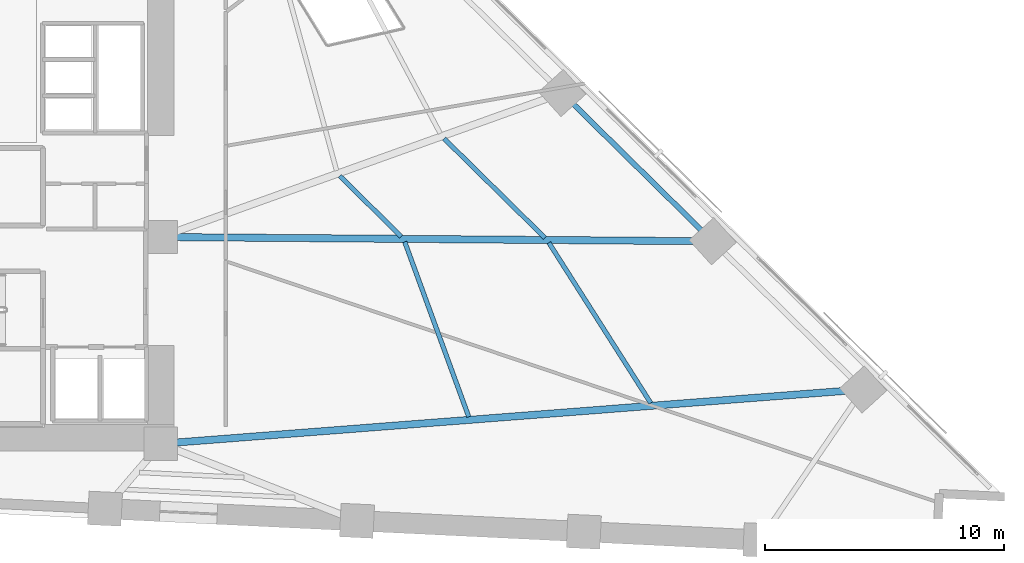
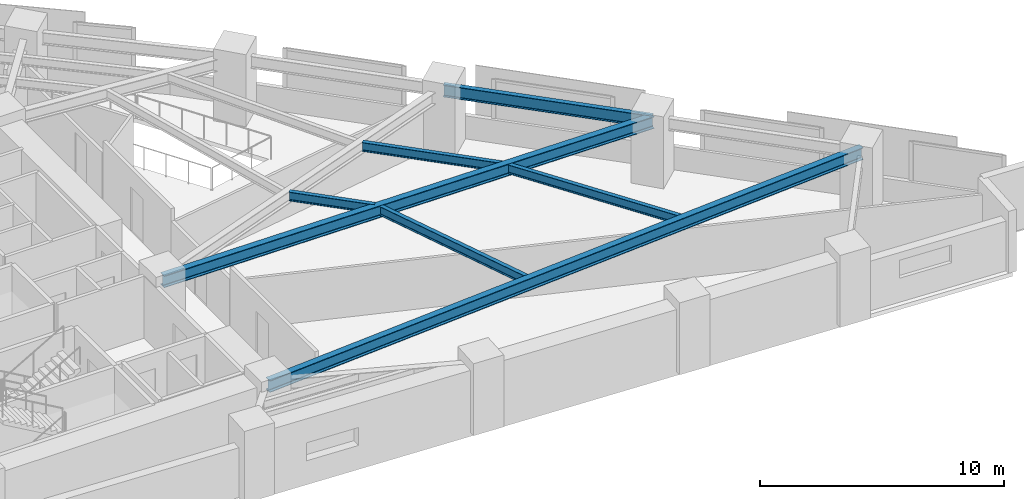
# One storey, part 3 of 17: 7 beams.
"""IFC4 building model written with IfcOpenShell, lengths in metres."""

from ifc_helpers import new_model, si_unit, direction, frame, origin, origin_2d, place, context, subcontext, project, spatial, i_section, extrude, material, material_profile, profile_set, type_object, element, save


model = new_model("IFC4")

# Units and contexts
model_context = context("Model", 3, precision=1e-05, world=origin(), true_north=direction((0.0, 1.0)))
body_context = subcontext(model_context, "Body", "Model", "MODEL_VIEW")
ifc_project = project(units=[si_unit("LENGTHUNIT", "METRE"), si_unit("AREAUNIT", "SQUARE_METRE"), si_unit("VOLUMEUNIT", "CUBIC_METRE"), si_unit("PLANEANGLEUNIT", "RADIAN"), si_unit("MASSUNIT", "GRAM", prefix="KILO")], contexts=[model_context])

# Site, building, storey
site_placement = place(None, origin())
site = spatial("IfcSite", under=ifc_project, at=site_placement, CompositionType="ELEMENT")
building_placement = place(site_placement, origin())
building = spatial("IfcBuilding", under=site, at=building_placement, Name="Narakoshi Arena Tower", CompositionType="ELEMENT")
storey_placement = place(building_placement, frame((0.0, 0.0, 55.5)))
storey = spatial("IfcBuildingStorey", under=building, at=storey_placement, Name="L14", CompositionType="ELEMENT", Elevation=55.5)

# Beams
ifc_material = material(Name="Structural steel S355J2", Category="steel")
ifc_material_profile_1 = material_profile(ifc_material, i_section(OverallWidth=0.219970703125, OverallDepth=0.60009765625, WebThickness=0.011962890625, FlangeThickness=0.01904296875, FilletRadius=0.02392578125, at=origin_2d()), Name="IPE600")
ifc_profile_set_1 = profile_set([ifc_material_profile_1], Name="Structural steel S355J2")
beam_type_1 = type_object("IfcBeamType", Name="BM-EDGE-600", PredefinedType="BEAM", material=ifc_profile_set_1)
beam_1_placement = place(storey_placement, frame((108.643798828125, 43.171875, 2.800048828125), z_axis=(-0.712540689328, 0.70163079041, 0.0), x_axis=(-0.70163079041, -0.712540689328, 0.0)))
element("IfcBeam", 1, at=beam_1_placement, inside=storey, type_object=beam_type_1, Name="L14 Perimeter Edge Girder 06", PredefinedType="BEAM", context=body_context, shape_type="SweptSolid", body=[
    extrude(i_section(OverallWidth=0.219970703125, OverallDepth=0.60009765625, WebThickness=0.011962890625, FlangeThickness=0.01904296875, FilletRadius=0.02392578125, at=origin_2d()), origin(), (0.0, 0.0, 1.0), 8.83935546875),
])
ifc_material_profile_2 = material_profile(ifc_material, i_section(OverallWidth=0.300048828125, OverallDepth=0.60009765625, WebThickness=0.015380859375, FlangeThickness=0.030029296875, FilletRadius=0.027099609375, at=origin_2d()), Name="HE600B")
ifc_profile_set_2 = profile_set([ifc_material_profile_2], Name="Structural steel S355J2")
beam_type_2 = type_object("IfcBeamType", Name="BM-PRI-600", PredefinedType="BEAM", material=ifc_profile_set_2)
beam_2_placement = place(storey_placement, frame((85.550048828125, 34.699951171875, 2.800048828125), z_axis=(0.99703085997, 0.077003014669, 0.0), x_axis=(-0.077003014669, 0.99703085997, 0.0)))
element("IfcBeam", 2, at=beam_2_placement, inside=storey, type_object=beam_type_2, Name="L14 Radial Primary Floor Girder 05", PredefinedType="BEAM", context=body_context, shape_type="SweptSolid", body=[
    extrude(i_section(OverallWidth=0.300048828125, OverallDepth=0.60009765625, WebThickness=0.015380859375, FlangeThickness=0.030029296875, FilletRadius=0.027099609375, at=origin_2d()), origin(), (0.0, 0.0, 1.0), 29.479736328125),
])
beam_3_placement = place(storey_placement, frame((85.550048828125, 43.35009765625, 2.800048828125), z_axis=(0.99997022255, -0.00771712473, 0.0), x_axis=(0.00771712473, 0.99997022255, 0.0)))
element("IfcBeam", 3, at=beam_3_placement, inside=storey, type_object=beam_type_2, Name="L14 Radial Primary Floor Girder 06", PredefinedType="BEAM", context=body_context, shape_type="SweptSolid", body=[
    extrude(i_section(OverallWidth=0.300048828125, OverallDepth=0.60009765625, WebThickness=0.015380859375, FlangeThickness=0.030029296875, FilletRadius=0.027099609375, at=origin_2d()), origin(), (0.0, 0.0, 1.0), 23.094482421875),
])
ifc_material_profile_3 = material_profile(ifc_material, i_section(OverallWidth=0.18994140625, OverallDepth=0.449951171875, WebThickness=0.009521484375, FlangeThickness=0.0146484375, FilletRadius=0.02099609375, at=origin_2d()), Name="IPE450")
ifc_profile_set_3 = profile_set([ifc_material_profile_3], Name="Structural steel S355J2")
beam_type_3 = type_object("IfcBeamType", Name="BM-SEC-450", PredefinedType="JOIST", material=ifc_profile_set_3)
beam_4_placement = place(storey_placement, frame((98.436279296875, 35.825439453125, 2.875), z_axis=(-0.343646214549, 0.939099184978, 0.0), x_axis=(-0.939099184978, -0.343646214549, 0.0)))
element("IfcBeam", 4, at=beam_4_placement, inside=storey, type_object=beam_type_3, Name="L14 Composite Secondary Floor Joist 03", PredefinedType="JOIST", context=body_context, shape_type="SweptSolid", body=[
    extrude(i_section(OverallWidth=0.18994140625, OverallDepth=0.449951171875, WebThickness=0.009521484375, FlangeThickness=0.0146484375, FilletRadius=0.02099609375, at=origin_2d()), origin(), (0.0, 0.0, 1.0), 7.794189453125),
])
beam_5_placement = place(storey_placement, frame((106.052001953125, 36.40283203125, 2.875), z_axis=(-0.536416331891, 0.843953505165, 0.0), x_axis=(-0.843953505165, -0.536416331891, 0.0)))
element("IfcBeam", 5, at=beam_5_placement, inside=storey, type_object=beam_type_3, Name="L14 Composite Secondary Floor Joist 04", PredefinedType="JOIST", context=body_context, shape_type="SweptSolid", body=[
    extrude(i_section(OverallWidth=0.18994140625, OverallDepth=0.449951171875, WebThickness=0.009521484375, FlangeThickness=0.0146484375, FilletRadius=0.02099609375, at=origin_2d()), origin(), (0.0, 0.0, 1.0), 7.948974609375),
])
beam_6_placement = place(storey_placement, frame((95.614990234375, 43.366455078125, 2.875), z_axis=(-0.71254969756, 0.701621641989, 0.0), x_axis=(-0.701621641989, -0.71254969756, 0.0)))
element("IfcBeam", 6, at=beam_6_placement, inside=storey, type_object=beam_type_3, Name="L14 Composite Secondary Floor Joist 05", PredefinedType="JOIST", context=body_context, shape_type="SweptSolid", body=[
    extrude(i_section(OverallWidth=0.18994140625, OverallDepth=0.449951171875, WebThickness=0.009521484375, FlangeThickness=0.0146484375, FilletRadius=0.02099609375, at=origin_2d()), origin(), (0.0, 0.0, 1.0), 3.619140625),
])
beam_7_placement = place(storey_placement, frame((101.619384765625, 43.320068359375, 2.875), z_axis=(-0.71253191184, 0.701639704271, 0.0), x_axis=(-0.701639704271, -0.71253191184, 0.0)))
element("IfcBeam", 7, at=beam_7_placement, inside=storey, type_object=beam_type_3, Name="L14 Composite Secondary Floor Joist 06", PredefinedType="JOIST", context=body_context, shape_type="SweptSolid", body=[
    extrude(i_section(OverallWidth=0.18994140625, OverallDepth=0.449951171875, WebThickness=0.009521484375, FlangeThickness=0.0146484375, FilletRadius=0.02099609375, at=origin_2d()), origin(), (0.0, 0.0, 1.0), 5.91748046875),
])

save(model, "model.ifc")
